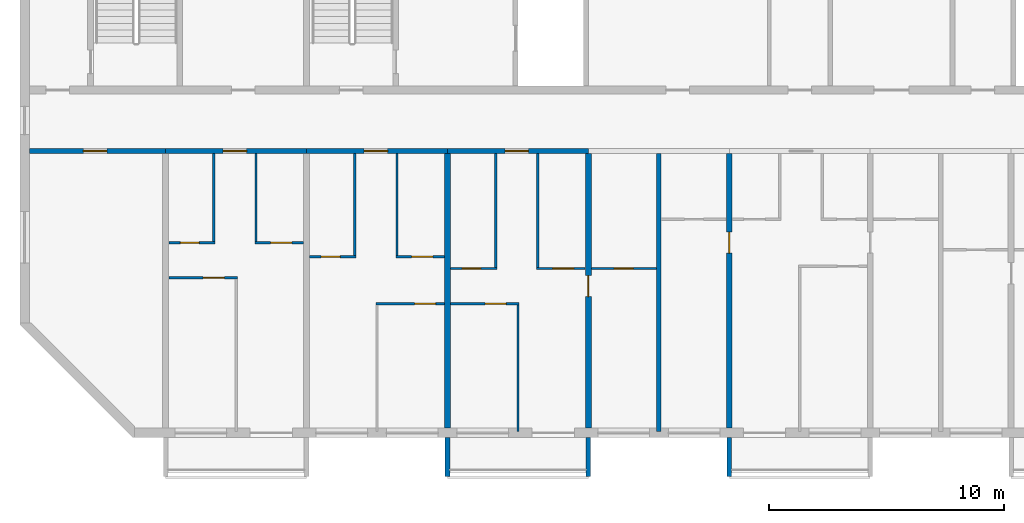
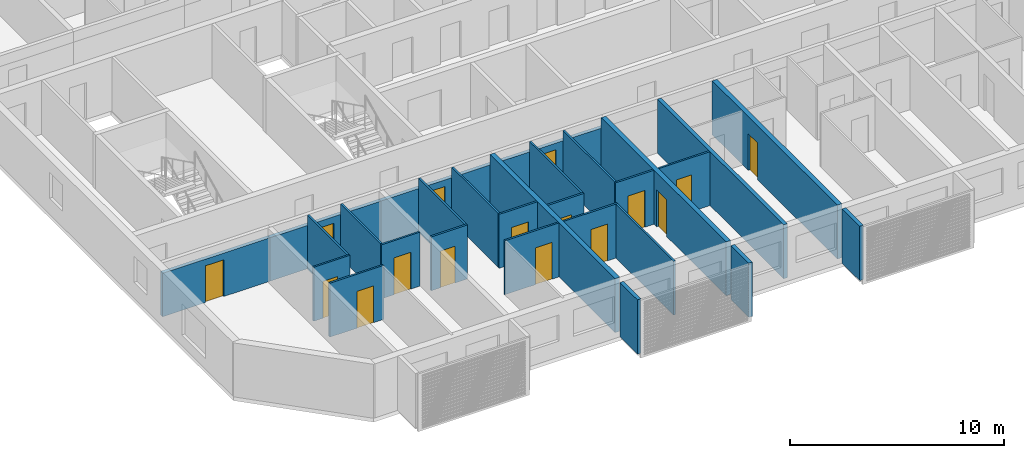
# One storey, part 2 of 26: 28 walls, 16 doors, 16 openings.
"""IFC4 building model written with IfcOpenShell, lengths in metres."""

from ifc_helpers import new_model, si_unit, direction, frame, frame_2d, origin, place, context, subcontext, project, spatial, polyline, rectangle, outline, extrude, source, transform, mapped, material, layer, layer_set, type_object, element, fill, save


model = new_model("IFC4")

# Units and contexts
model_context = context("Model", 3, precision=1e-05, world=origin(), true_north=direction((0.0, 1.0)))
body_context = subcontext(model_context, "Body", "Model", "MODEL_VIEW")
ifc_project = project(units=[si_unit("LENGTHUNIT", "METRE"), si_unit("AREAUNIT", "SQUARE_METRE"), si_unit("VOLUMEUNIT", "CUBIC_METRE"), si_unit("PLANEANGLEUNIT", "RADIAN"), si_unit("MASSUNIT", "GRAM", prefix="KILO")], contexts=[model_context])

# Site, building, storey
site_placement = place(None, origin())
site = spatial("IfcSite", under=ifc_project, at=site_placement, CompositionType="ELEMENT")
building_placement = place(site_placement, origin())
building = spatial("IfcBuilding", under=site, at=building_placement, Name="Poui Terraces", CompositionType="ELEMENT")
storey_placement = place(building_placement, frame((0.0, 0.0, 228.0)))
storey = spatial("IfcBuildingStorey", under=building, at=storey_placement, Name="L63", CompositionType="ELEMENT", Elevation=228.0)

# Wall, opening, door
ifc_material_1 = material(Name="Concrete 50 MPa", Category="concrete")
ifc_layer_1 = layer(ifc_material_1, 0.199951171875)
ifc_layer_set_1 = layer_set([ifc_layer_1], Name="Concrete 50 MPa")
wall_type_1 = type_object("IfcWallType", Name="CORRIDOR WALL 200 50MPa", PredefinedType="SHEAR", material=ifc_layer_set_1)
wall_1_placement = place(storey_placement, frame((18.199951171875, 12.0, 0.0), z_axis=(0.0, 0.0, 1.0), x_axis=(1.0, 0.0, 0.0)))
wall_1 = element("IfcWall", 1, at=wall_1_placement, inside=storey, type_object=wall_type_1, Name="CORRIDOR WALL LINE B BAY 1", PredefinedType="SHEAR", context=body_context, shape_type="SweptSolid", body=[
    extrude(rectangle(XDim=5.800048828125, YDim=0.199951171875, at=frame_2d((2.89990234375, 0.0))), origin(), (0.0, 0.0, 1.0), 2.47998046875),
])
opening_1_placement = place(wall_1_placement, frame((2.300048828125, 0.0, 0.0)))
opening_1 = element("IfcOpeningElement", 2, at=opening_1_placement, cuts=wall_1, Name="Opening D100", PredefinedType="OPENING", context=body_context, shape_type="SweptSolid", body=[
    extrude(rectangle(XDim=1.0, YDim=2.10009765625, at=frame_2d((0.5, 1.050048828125))), frame((0.0, 0.10986328125, 0.0), z_axis=(0.0, -1.0, 0.0), x_axis=(1.0, 0.0, 0.0)), (0.0, 0.0, 1.0), 0.219970703125),
])
ifc_material_2 = material(Name="Solid core timber door", Category="wood")
door_type_1 = type_object("IfcDoorType", Name="ACCESSIBLE INTERNAL DOOR 1000 X 2100", OperationType="NOTDEFINED", PredefinedType="DOOR", material=ifc_material_2)
door_1_placement = place(opening_1_placement, frame((1.0, 0.0, 0.0), z_axis=(0.0, 0.0, 1.0), x_axis=(-1.0, 0.0, 0.0)))
door_1 = element("IfcDoor", 3, at=door_1_placement, inside=storey, type_object=door_type_1, Name="ACCESSIBLE INTERNAL DOOR 058", OperationType="SINGLE_SWING_RIGHT", OverallHeight=2.10009765625, OverallWidth=1.0, PredefinedType="DOOR", context=body_context, shape_type="SweptSolid", body=[
    extrude(rectangle(XDim=1.0, YDim=2.10009765625, at=frame_2d((0.5, 1.050048828125))), frame((0.0, 0.02490234375, 0.0), z_axis=(0.0, -1.0, 0.0), x_axis=(1.0, 0.0, 0.0)), (0.0, 0.0, 1.0), 0.050048828125),
])
fill(opening_1, door_1)

wall_2_placement = place(storey_placement, frame((24.0, 12.0, 0.0), z_axis=(0.0, 0.0, 1.0), x_axis=(1.0, 0.0, 0.0)))
wall_2 = element("IfcWall", 4, at=wall_2_placement, inside=storey, type_object=wall_type_1, Name="CORRIDOR WALL LINE B BAY 2", PredefinedType="SHEAR", context=body_context, shape_type="SweptSolid", body=[
    extrude(rectangle(XDim=6.0, YDim=0.199951171875, at=frame_2d((3.0, 0.0))), origin(), (0.0, 0.0, 1.0), 2.47998046875),
])
opening_2_placement = place(wall_2_placement, frame((2.449951171875, 0.0, 0.0)))
opening_2 = element("IfcOpeningElement", 5, at=opening_2_placement, cuts=wall_2, Name="Opening FD30S", PredefinedType="OPENING", context=body_context, shape_type="SweptSolid", body=[
    extrude(rectangle(XDim=1.0, YDim=2.10009765625, at=frame_2d((0.5, 1.050048828125))), frame((0.0, 0.10986328125, 0.0), z_axis=(0.0, -1.0, 0.0), x_axis=(1.0, 0.0, 0.0)), (0.0, 0.0, 1.0), 0.219970703125),
])
ifc_material_3 = material(Name="Steel fire door", Category="steel")
door_type_2 = type_object("IfcDoorType", Name="FLAT ENTRANCE DOOR 1000 X 2100", OperationType="NOTDEFINED", PredefinedType="DOOR", material=ifc_material_3)
door_2_placement = place(opening_2_placement, frame((1.0, 0.0, 0.0), z_axis=(0.0, 0.0, 1.0), x_axis=(-1.0, 0.0, 0.0)))
door_2 = element("IfcDoor", 6, at=door_2_placement, inside=storey, type_object=door_type_2, Name="FLAT ENTRANCE DOOR 061", OperationType="SINGLE_SWING_RIGHT", OverallHeight=2.10009765625, OverallWidth=1.0, PredefinedType="DOOR", context=body_context, shape_type="SweptSolid", body=[
    extrude(rectangle(XDim=1.0, YDim=2.10009765625, at=frame_2d((0.5, 1.050048828125))), frame((0.0, 0.02490234375, 0.0), z_axis=(0.0, -1.0, 0.0), x_axis=(1.0, 0.0, 0.0)), (0.0, 0.0, 1.0), 0.050048828125),
])
fill(opening_2, door_2)

wall_3_placement = place(storey_placement, frame((30.0, 12.0, 0.0), z_axis=(0.0, 0.0, 1.0), x_axis=(1.0, 0.0, 0.0)))
wall_3 = element("IfcWall", 7, at=wall_3_placement, inside=storey, type_object=wall_type_1, Name="CORRIDOR WALL LINE B BAY 3", PredefinedType="SHEAR", context=body_context, shape_type="SweptSolid", body=[
    extrude(rectangle(XDim=6.0, YDim=0.199951171875, at=frame_2d((3.0, 0.0))), origin(), (0.0, 0.0, 1.0), 2.47998046875),
])
opening_3_placement = place(wall_3_placement, frame((2.449951171875, 0.0, 0.0)))
opening_3 = element("IfcOpeningElement", 8, at=opening_3_placement, cuts=wall_3, Name="Opening FD30S", PredefinedType="OPENING", context=body_context, shape_type="SweptSolid", body=[
    extrude(rectangle(XDim=1.0, YDim=2.10009765625, at=frame_2d((0.5, 1.050048828125))), frame((0.0, 0.10986328125, 0.0), z_axis=(0.0, -1.0, 0.0), x_axis=(1.0, 0.0, 0.0)), (0.0, 0.0, 1.0), 0.219970703125),
])
door_3_placement = place(opening_3_placement, frame((1.0, 0.0, 0.0), z_axis=(0.0, 0.0, 1.0), x_axis=(-1.0, 0.0, 0.0)))
door_3 = element("IfcDoor", 9, at=door_3_placement, inside=storey, type_object=door_type_2, Name="FLAT ENTRANCE DOOR 064", OperationType="SINGLE_SWING_RIGHT", OverallHeight=2.10009765625, OverallWidth=1.0, PredefinedType="DOOR", context=body_context, shape_type="SweptSolid", body=[
    extrude(rectangle(XDim=1.0, YDim=2.10009765625, at=frame_2d((0.5, 1.050048828125))), frame((0.0, 0.02490234375, 0.0), z_axis=(0.0, -1.0, 0.0), x_axis=(1.0, 0.0, 0.0)), (0.0, 0.0, 1.0), 0.050048828125),
])
fill(opening_3, door_3)

wall_4_placement = place(storey_placement, frame((36.0, 12.0, 0.0), z_axis=(0.0, 0.0, 1.0), x_axis=(1.0, 0.0, 0.0)))
wall_4 = element("IfcWall", 10, at=wall_4_placement, inside=storey, type_object=wall_type_1, Name="CORRIDOR WALL LINE B BAY 4", PredefinedType="SHEAR", context=body_context, shape_type="SweptSolid", body=[
    extrude(rectangle(XDim=6.0, YDim=0.199951171875, at=frame_2d((3.0, 0.0))), origin(), (0.0, 0.0, 1.0), 2.47998046875),
])
opening_4_placement = place(wall_4_placement, frame((2.449951171875, 0.0, 0.0)))
opening_4 = element("IfcOpeningElement", 11, at=opening_4_placement, cuts=wall_4, Name="Opening FD30S", PredefinedType="OPENING", context=body_context, shape_type="SweptSolid", body=[
    extrude(rectangle(XDim=1.0, YDim=2.10009765625, at=frame_2d((0.5, 1.050048828125))), frame((0.0, 0.10986328125, 0.0), z_axis=(0.0, -1.0, 0.0), x_axis=(1.0, 0.0, 0.0)), (0.0, 0.0, 1.0), 0.219970703125),
])
door_4_placement = place(opening_4_placement, frame((1.0, 0.0, 0.0), z_axis=(0.0, 0.0, 1.0), x_axis=(-1.0, 0.0, 0.0)))
door_4 = element("IfcDoor", 12, at=door_4_placement, inside=storey, type_object=door_type_2, Name="FLAT ENTRANCE DOOR 070", OperationType="SINGLE_SWING_RIGHT", OverallHeight=2.10009765625, OverallWidth=1.0, PredefinedType="DOOR", context=body_context, shape_type="SweptSolid", body=[
    extrude(rectangle(XDim=1.0, YDim=2.10009765625, at=frame_2d((0.5, 1.050048828125))), frame((0.0, 0.02490234375, 0.0), z_axis=(0.0, -1.0, 0.0), x_axis=(1.0, 0.0, 0.0)), (0.0, 0.0, 1.0), 0.050048828125),
])
fill(opening_4, door_4)

# Wall
ifc_layer_2 = layer(ifc_material_1, 0.25)
ifc_layer_set_2 = layer_set([ifc_layer_2], Name="Concrete 50 MPa")
wall_type_2 = type_object("IfcWallType", Name="CROSS WALL 250 50MPa", PredefinedType="SHEAR", material=ifc_layer_set_2)
wall_5_placement = place(storey_placement, frame((36.0, 0.199951171875, 0.0), z_axis=(0.0, 0.0, 1.0), x_axis=(0.0, 1.0, 0.0)))
element("IfcWall", 13, at=wall_5_placement, inside=storey, type_object=wall_type_2, Name="CROSS WALL LINE 7 SOUTH", PredefinedType="SHEAR", context=body_context, shape_type="SweptSolid", body=[
    extrude(rectangle(XDim=11.699951171875, YDim=0.25, at=frame_2d((5.85009765625, 0.0))), origin(), (0.0, 0.0, 1.0), 3.080078125),
])

# Wall, opening, door
wall_6_placement = place(storey_placement, frame((42.0, 0.199951171875, 0.0), z_axis=(0.0, 0.0, 1.0), x_axis=(0.0, 1.0, 0.0)))
wall_6 = element("IfcWall", 14, at=wall_6_placement, inside=storey, type_object=wall_type_2, Name="CROSS WALL LINE 8 SOUTH", PredefinedType="SHEAR", context=body_context, shape_type="SweptSolid", body=[
    extrude(rectangle(XDim=11.699951171875, YDim=0.25, at=frame_2d((5.85009765625, 0.0))), origin(), (0.0, 0.0, 1.0), 3.080078125),
])
opening_5_placement = place(wall_6_placement, frame((5.60009765625, 0.0, 0.0)))
opening_5 = element("IfcOpeningElement", 15, at=opening_5_placement, cuts=wall_6, Name="Opening D90", PredefinedType="OPENING", context=body_context, shape_type="SweptSolid", body=[
    extrude(rectangle(XDim=0.89990234375, YDim=2.10009765625, at=frame_2d((0.449951171875, 1.050048828125))), frame((0.0, 0.135009765625, 0.0), z_axis=(0.0, -1.0, 0.0), x_axis=(1.0, 0.0, 0.0)), (0.0, 0.0, 1.0), 0.27001953125),
])
door_type_3 = type_object("IfcDoorType", Name="INTERNAL DOOR 900 X 2100", OperationType="NOTDEFINED", PredefinedType="DOOR", material=ifc_material_2)
door_5_placement = place(opening_5_placement, frame((0.89990234375, 0.0, 0.0), z_axis=(0.0, 0.0, 1.0), x_axis=(-1.0, 0.0, 0.0)))
door_5 = element("IfcDoor", 16, at=door_5_placement, inside=storey, type_object=door_type_3, Name="INTERNAL DOOR 072", OperationType="SINGLE_SWING_LEFT", OverallHeight=2.10009765625, OverallWidth=0.89990234375, PredefinedType="DOOR", context=body_context, shape_type="SweptSolid", body=[
    extrude(rectangle(XDim=0.89990234375, YDim=2.10009765625, at=frame_2d((0.449951171875, 1.050048828125))), frame((0.0, 0.02490234375, 0.0), z_axis=(0.0, -1.0, 0.0), x_axis=(1.0, 0.0, 0.0)), (0.0, 0.0, 1.0), 0.050048828125),
])
fill(opening_5, door_5)

wall_7_placement = place(storey_placement, frame((48.0, 0.199951171875, 0.0), z_axis=(0.0, 0.0, 1.0), x_axis=(0.0, 1.0, 0.0)))
wall_7 = element("IfcWall", 17, at=wall_7_placement, inside=storey, type_object=wall_type_2, Name="CROSS WALL LINE 9 SOUTH", PredefinedType="SHEAR", context=body_context, shape_type="SweptSolid", body=[
    extrude(rectangle(XDim=11.699951171875, YDim=0.25, at=frame_2d((5.85009765625, 0.0))), origin(), (0.0, 0.0, 1.0), 3.080078125),
])
opening_6_placement = place(wall_7_placement, frame((7.449951171875, 0.0, 0.0)))
opening_6 = element("IfcOpeningElement", 18, at=opening_6_placement, cuts=wall_7, Name="Opening D90", PredefinedType="OPENING", context=body_context, shape_type="SweptSolid", body=[
    extrude(rectangle(XDim=0.89990234375, YDim=2.10009765625, at=frame_2d((0.449951171875, 1.050048828125))), frame((0.0, 0.135009765625, 0.0), z_axis=(0.0, -1.0, 0.0), x_axis=(1.0, 0.0, 0.0)), (0.0, 0.0, 1.0), 0.27001953125),
])
door_6_placement = place(opening_6_placement, origin())
door_6 = element("IfcDoor", 19, at=door_6_placement, inside=storey, type_object=door_type_3, Name="INTERNAL DOOR 075", OperationType="SINGLE_SWING_RIGHT", OverallHeight=2.10009765625, OverallWidth=0.89990234375, PredefinedType="DOOR", context=body_context, shape_type="SweptSolid", body=[
    extrude(rectangle(XDim=0.89990234375, YDim=2.10009765625, at=frame_2d((0.449951171875, 1.050048828125))), frame((0.0, 0.02490234375, 0.0), z_axis=(0.0, -1.0, 0.0), x_axis=(1.0, 0.0, 0.0)), (0.0, 0.0, 1.0), 0.050048828125),
])
fill(opening_6, door_6)

ifc_material_4 = material(Name="Plasterboard partition")
ifc_layer_3 = layer(ifc_material_4, 0.10009765625)
ifc_layer_set_3 = layer_set([ifc_layer_3], Name="Plasterboard partition")
wall_type_3 = type_object("IfcWallType", Name="FLAT PARTITION 100", PredefinedType="PARTITIONING", material=ifc_layer_set_3)
wall_8_placement = place(storey_placement, frame((32.949951171875, 5.5, 0.0), z_axis=(0.0, 0.0, 1.0), x_axis=(1.0, 0.0, 0.0)))
wall_8 = element("IfcWall", 20, at=wall_8_placement, inside=storey, type_object=wall_type_3, Name="FLAT PARTITION 100", PredefinedType="PARTITIONING", context=body_context, shape_type="SweptSolid", body=[
    extrude(rectangle(XDim=2.9150390625, YDim=0.10009765625, at=frame_2d((1.45751953125, 0.0))), origin(), (0.0, 0.0, 1.0), 3.080078125),
])
opening_7_placement = place(wall_8_placement, frame((1.64990234375, 0.0, 0.0)))
opening_7 = element("IfcOpeningElement", 21, at=opening_7_placement, cuts=wall_8, Name="Opening D90", PredefinedType="OPENING", context=body_context, shape_type="SweptSolid", body=[
    extrude(rectangle(XDim=0.89990234375, YDim=2.10009765625, at=frame_2d((0.449951171875, 1.050048828125))), frame((0.0, 0.06005859375, 0.0), z_axis=(0.0, -1.0, 0.0), x_axis=(1.0, 0.0, 0.0)), (0.0, 0.0, 1.0), 0.1201171875),
])
door_7_placement = place(opening_7_placement, frame((0.89990234375, 0.0, 0.0), z_axis=(0.0, 0.0, 1.0), x_axis=(-1.0, 0.0, 0.0)))
door_7 = element("IfcDoor", 22, at=door_7_placement, inside=storey, type_object=door_type_3, Name="INTERNAL DOOR 066", OperationType="SINGLE_SWING_LEFT", OverallHeight=2.10009765625, OverallWidth=0.89990234375, PredefinedType="DOOR", context=body_context, shape_type="SweptSolid", body=[
    extrude(rectangle(XDim=0.89990234375, YDim=2.10009765625, at=frame_2d((0.449951171875, 1.050048828125))), frame((0.0, 0.02490234375, 0.0), z_axis=(0.0, -1.0, 0.0), x_axis=(1.0, 0.0, 0.0)), (0.0, 0.0, 1.0), 0.050048828125),
])
fill(opening_7, door_7)

wall_9_placement = place(storey_placement, frame((36.135009765625, 5.5, 0.0), z_axis=(0.0, 0.0, 1.0), x_axis=(1.0, 0.0, 0.0)))
wall_9 = element("IfcWall", 23, at=wall_9_placement, inside=storey, type_object=wall_type_3, Name="FLAT PARTITION 100", PredefinedType="PARTITIONING", context=body_context, shape_type="SweptSolid", body=[
    extrude(rectangle(XDim=2.9150390625, YDim=0.10009765625, at=frame_2d((1.45751953125, 0.0))), origin(), (0.0, 0.0, 1.0), 3.080078125),
])
opening_8_placement = place(wall_9_placement, frame((1.465087890625, 0.0, 0.0)))
opening_8 = element("IfcOpeningElement", 24, at=opening_8_placement, cuts=wall_9, Name="Opening D90", PredefinedType="OPENING", context=body_context, shape_type="SweptSolid", body=[
    extrude(rectangle(XDim=0.89990234375, YDim=2.10009765625, at=frame_2d((0.449951171875, 1.050048828125))), frame((0.0, 0.06005859375, 0.0), z_axis=(0.0, -1.0, 0.0), x_axis=(1.0, 0.0, 0.0)), (0.0, 0.0, 1.0), 0.1201171875),
])
door_8_placement = place(opening_8_placement, origin())
door_8 = element("IfcDoor", 25, at=door_8_placement, inside=storey, type_object=door_type_3, Name="INTERNAL DOOR 069", OperationType="SINGLE_SWING_LEFT", OverallHeight=2.10009765625, OverallWidth=0.89990234375, PredefinedType="DOOR", context=body_context, shape_type="SweptSolid", body=[
    extrude(rectangle(XDim=0.89990234375, YDim=2.10009765625, at=frame_2d((0.449951171875, 1.050048828125))), frame((0.0, 0.02490234375, 0.0), z_axis=(0.0, -1.0, 0.0), x_axis=(1.0, 0.0, 0.0)), (0.0, 0.0, 1.0), 0.050048828125),
])
fill(opening_8, door_8)

wall_10_placement = place(storey_placement, frame((24.135009765625, 6.60009765625, 0.0), z_axis=(0.0, 0.0, 1.0), x_axis=(1.0, 0.0, 0.0)))
wall_10 = element("IfcWall", 26, at=wall_10_placement, inside=storey, type_object=wall_type_3, Name="FLAT PARTITION 100", PredefinedType="PARTITIONING", context=body_context, shape_type="SweptSolid", body=[
    extrude(rectangle(XDim=2.9150390625, YDim=0.10009765625, at=frame_2d((1.45751953125, 0.0))), origin(), (0.0, 0.0, 1.0), 3.080078125),
])
opening_9_placement = place(wall_10_placement, frame((1.465087890625, 0.0, 0.0)))
opening_9 = element("IfcOpeningElement", 27, at=opening_9_placement, cuts=wall_10, Name="Opening D90", PredefinedType="OPENING", context=body_context, shape_type="SweptSolid", body=[
    extrude(rectangle(XDim=0.89990234375, YDim=2.10009765625, at=frame_2d((0.449951171875, 1.050048828125))), frame((0.0, 0.06005859375, 0.0), z_axis=(0.0, -1.0, 0.0), x_axis=(1.0, 0.0, 0.0)), (0.0, 0.0, 1.0), 0.1201171875),
])
door_9_placement = place(opening_9_placement, origin())
door_9 = element("IfcDoor", 28, at=door_9_placement, inside=storey, type_object=door_type_3, Name="INTERNAL DOOR 060", OperationType="SINGLE_SWING_LEFT", OverallHeight=2.10009765625, OverallWidth=0.89990234375, PredefinedType="DOOR", context=body_context, shape_type="SweptSolid", body=[
    extrude(rectangle(XDim=0.89990234375, YDim=2.10009765625, at=frame_2d((0.449951171875, 1.050048828125))), frame((0.0, 0.02490234375, 0.0), z_axis=(0.0, -1.0, 0.0), x_axis=(1.0, 0.0, 0.0)), (0.0, 0.0, 1.0), 0.050048828125),
])
fill(opening_9, door_9)

wall_11_placement = place(storey_placement, frame((36.135009765625, 7.0, 0.0), z_axis=(0.0, 0.0, 1.0), x_axis=(1.0, 0.0, 0.0)))
wall_11 = element("IfcWall", 29, at=wall_11_placement, inside=storey, type_object=wall_type_3, Name="FLAT PARTITION 100", PredefinedType="PARTITIONING", context=body_context, shape_type="SweptSolid", body=[
    extrude(rectangle(XDim=1.965087890625, YDim=0.10009765625, at=frame_2d((0.982421875, 0.0))), origin(), (0.0, 0.0, 1.0), 3.080078125),
])
opening_10_placement = place(wall_11_placement, frame((0.489990234375, 0.0, 0.0)))
opening_10 = element("IfcOpeningElement", 30, at=opening_10_placement, cuts=wall_11, Name="Opening D80", PredefinedType="OPENING", context=body_context, shape_type="SweptSolid", body=[
    extrude(rectangle(XDim=0.800048828125, YDim=2.10009765625, at=frame_2d((0.39990234375, 1.050048828125))), frame((0.0, 0.06005859375, 0.0), z_axis=(0.0, -1.0, 0.0), x_axis=(1.0, 0.0, 0.0)), (0.0, 0.0, 1.0), 0.1201171875),
])
door_type_4 = type_object("IfcDoorType", Name="BATHROOM, LAUNDRY AND STORE DOOR 800 X 2100", OperationType="NOTDEFINED", PredefinedType="DOOR", material=ifc_material_2)
door_10_placement = place(opening_10_placement, origin())
door_10 = element("IfcDoor", 31, at=door_10_placement, inside=storey, type_object=door_type_4, Name="BATHROOM, LAUNDRY AND STORE DOOR 068", OperationType="SINGLE_SWING_RIGHT", OverallHeight=2.10009765625, OverallWidth=0.800048828125, PredefinedType="DOOR", context=body_context, shape_type="SweptSolid", body=[
    extrude(rectangle(XDim=0.800048828125, YDim=2.10009765625, at=frame_2d((0.39990234375, 1.050048828125))), frame((0.0, 0.02490234375, 0.0), z_axis=(0.0, -1.0, 0.0), x_axis=(1.0, 0.0, 0.0)), (0.0, 0.0, 1.0), 0.050048828125),
])
fill(opening_10, door_10)

wall_12_placement = place(storey_placement, frame((39.800048828125, 7.0, 0.0), z_axis=(0.0, 0.0, 1.0), x_axis=(1.0, 0.0, 0.0)))
wall_12 = element("IfcWall", 32, at=wall_12_placement, inside=storey, type_object=wall_type_3, Name="FLAT PARTITION 100", PredefinedType="PARTITIONING", context=body_context, shape_type="SweptSolid", body=[
    extrude(rectangle(XDim=2.06494140625, YDim=0.10009765625, at=frame_2d((1.032470703125, 0.0))), origin(), (0.0, 0.0, 1.0), 3.080078125),
])
opening_11_placement = place(wall_12_placement, frame((0.675048828125, 0.0, 0.0)))
opening_11 = element("IfcOpeningElement", 33, at=opening_11_placement, cuts=wall_12, Name="Opening D90", PredefinedType="OPENING", context=body_context, shape_type="SweptSolid", body=[
    extrude(rectangle(XDim=0.89990234375, YDim=2.10009765625, at=frame_2d((0.449951171875, 1.050048828125))), frame((0.0, 0.06005859375, 0.0), z_axis=(0.0, -1.0, 0.0), x_axis=(1.0, 0.0, 0.0)), (0.0, 0.0, 1.0), 0.1201171875),
])
door_11_placement = place(opening_11_placement, origin())
door_11 = element("IfcDoor", 34, at=door_11_placement, inside=storey, type_object=door_type_3, Name="INTERNAL DOOR 071", OperationType="SINGLE_SWING_LEFT", OverallHeight=2.10009765625, OverallWidth=0.89990234375, PredefinedType="DOOR", context=body_context, shape_type="SweptSolid", body=[
    extrude(rectangle(XDim=0.89990234375, YDim=2.10009765625, at=frame_2d((0.449951171875, 1.050048828125))), frame((0.0, 0.02490234375, 0.0), z_axis=(0.0, -1.0, 0.0), x_axis=(1.0, 0.0, 0.0)), (0.0, 0.0, 1.0), 0.050048828125),
])
fill(opening_11, door_11)

wall_13_placement = place(storey_placement, frame((42.135009765625, 7.0, 0.0), z_axis=(0.0, 0.0, 1.0), x_axis=(1.0, 0.0, 0.0)))
wall_13 = element("IfcWall", 35, at=wall_13_placement, inside=storey, type_object=wall_type_3, Name="FLAT PARTITION 100", PredefinedType="PARTITIONING", context=body_context, shape_type="SweptSolid", body=[
    extrude(rectangle(XDim=2.764892578125, YDim=0.10009765625, at=frame_2d((1.38232421875, 0.0))), origin(), (0.0, 0.0, 1.0), 3.080078125),
])
opening_12_placement = place(wall_13_placement, frame((0.965087890625, 0.0, 0.0)))
opening_12 = element("IfcOpeningElement", 36, at=opening_12_placement, cuts=wall_13, Name="Opening D80", PredefinedType="OPENING", context=body_context, shape_type="SweptSolid", body=[
    extrude(rectangle(XDim=0.800048828125, YDim=2.10009765625, at=frame_2d((0.39990234375, 1.050048828125))), frame((0.0, 0.06005859375, 0.0), z_axis=(0.0, -1.0, 0.0), x_axis=(1.0, 0.0, 0.0)), (0.0, 0.0, 1.0), 0.1201171875),
])
door_12_placement = place(opening_12_placement, origin())
door_12 = element("IfcDoor", 37, at=door_12_placement, inside=storey, type_object=door_type_4, Name="BATHROOM, LAUNDRY AND STORE DOOR 067", OperationType="SINGLE_SWING_RIGHT", OverallHeight=2.10009765625, OverallWidth=0.800048828125, PredefinedType="DOOR", context=body_context, shape_type="SweptSolid", body=[
    extrude(rectangle(XDim=0.800048828125, YDim=2.10009765625, at=frame_2d((0.39990234375, 1.050048828125))), frame((0.0, 0.02490234375, 0.0), z_axis=(0.0, -1.0, 0.0), x_axis=(1.0, 0.0, 0.0)), (0.0, 0.0, 1.0), 0.050048828125),
])
fill(opening_12, door_12)

wall_14_placement = place(storey_placement, frame((30.135009765625, 7.5, 0.0), z_axis=(0.0, 0.0, 1.0), x_axis=(1.0, 0.0, 0.0)))
wall_14 = element("IfcWall", 38, at=wall_14_placement, inside=storey, type_object=wall_type_3, Name="FLAT PARTITION 100", PredefinedType="PARTITIONING", context=body_context, shape_type="SweptSolid", body=[
    extrude(rectangle(XDim=1.965087890625, YDim=0.10009765625, at=frame_2d((0.982421875, 0.0))), origin(), (0.0, 0.0, 1.0), 3.080078125),
])
opening_13_placement = place(wall_14_placement, frame((0.489990234375, 0.0, 0.0)))
opening_13 = element("IfcOpeningElement", 39, at=opening_13_placement, cuts=wall_14, Name="Opening D80", PredefinedType="OPENING", context=body_context, shape_type="SweptSolid", body=[
    extrude(rectangle(XDim=0.800048828125, YDim=2.10009765625, at=frame_2d((0.39990234375, 1.050048828125))), frame((0.0, 0.06005859375, 0.0), z_axis=(0.0, -1.0, 0.0), x_axis=(1.0, 0.0, 0.0)), (0.0, 0.0, 1.0), 0.1201171875),
])
door_13_placement = place(opening_13_placement, origin())
door_13 = element("IfcDoor", 40, at=door_13_placement, inside=storey, type_object=door_type_4, Name="BATHROOM, LAUNDRY AND STORE DOOR 063", OperationType="SINGLE_SWING_LEFT", OverallHeight=2.10009765625, OverallWidth=0.800048828125, PredefinedType="DOOR", context=body_context, shape_type="SweptSolid", body=[
    extrude(rectangle(XDim=0.800048828125, YDim=2.10009765625, at=frame_2d((0.39990234375, 1.050048828125))), frame((0.0, 0.02490234375, 0.0), z_axis=(0.0, -1.0, 0.0), x_axis=(1.0, 0.0, 0.0)), (0.0, 0.0, 1.0), 0.050048828125),
])
fill(opening_13, door_13)

wall_15_placement = place(storey_placement, frame((33.800048828125, 7.5, 0.0), z_axis=(0.0, 0.0, 1.0), x_axis=(1.0, 0.0, 0.0)))
wall_15 = element("IfcWall", 41, at=wall_15_placement, inside=storey, type_object=wall_type_3, Name="FLAT PARTITION 100", PredefinedType="PARTITIONING", context=body_context, shape_type="SweptSolid", body=[
    extrude(rectangle(XDim=2.06494140625, YDim=0.10009765625, at=frame_2d((1.032470703125, 0.0))), origin(), (0.0, 0.0, 1.0), 3.080078125),
])
opening_14_placement = place(wall_15_placement, frame((0.675048828125, 0.0, 0.0)))
opening_14 = element("IfcOpeningElement", 42, at=opening_14_placement, cuts=wall_15, Name="Opening D90", PredefinedType="OPENING", context=body_context, shape_type="SweptSolid", body=[
    extrude(rectangle(XDim=0.89990234375, YDim=2.10009765625, at=frame_2d((0.449951171875, 1.050048828125))), frame((0.0, 0.06005859375, 0.0), z_axis=(0.0, -1.0, 0.0), x_axis=(1.0, 0.0, 0.0)), (0.0, 0.0, 1.0), 0.1201171875),
])
door_14_placement = place(opening_14_placement, origin())
door_14 = element("IfcDoor", 43, at=door_14_placement, inside=storey, type_object=door_type_3, Name="INTERNAL DOOR 065", OperationType="SINGLE_SWING_RIGHT", OverallHeight=2.10009765625, OverallWidth=0.89990234375, PredefinedType="DOOR", context=body_context, shape_type="SweptSolid", body=[
    extrude(rectangle(XDim=0.89990234375, YDim=2.10009765625, at=frame_2d((0.449951171875, 1.050048828125))), frame((0.0, 0.02490234375, 0.0), z_axis=(0.0, -1.0, 0.0), x_axis=(1.0, 0.0, 0.0)), (0.0, 0.0, 1.0), 0.050048828125),
])
fill(opening_14, door_14)

wall_16_placement = place(storey_placement, frame((24.135009765625, 8.10009765625, 0.0), z_axis=(0.0, 0.0, 1.0), x_axis=(1.0, 0.0, 0.0)))
wall_16 = element("IfcWall", 44, at=wall_16_placement, inside=storey, type_object=wall_type_3, Name="FLAT PARTITION 100", PredefinedType="PARTITIONING", context=body_context, shape_type="SweptSolid", body=[
    extrude(rectangle(XDim=1.965087890625, YDim=0.10009765625, at=frame_2d((0.982421875, 0.0))), origin(), (0.0, 0.0, 1.0), 3.080078125),
])
opening_15_placement = place(wall_16_placement, frame((0.489990234375, 0.0, 0.0)))
opening_15 = element("IfcOpeningElement", 45, at=opening_15_placement, cuts=wall_16, Name="Opening D80", PredefinedType="OPENING", context=body_context, shape_type="SweptSolid", body=[
    extrude(rectangle(XDim=0.800048828125, YDim=2.10009765625, at=frame_2d((0.39990234375, 1.050048828125))), frame((0.0, 0.06005859375, 0.0), z_axis=(0.0, -1.0, 0.0), x_axis=(1.0, 0.0, 0.0)), (0.0, 0.0, 1.0), 0.1201171875),
])
door_15_placement = place(opening_15_placement, origin())
door_15 = element("IfcDoor", 46, at=door_15_placement, inside=storey, type_object=door_type_4, Name="BATHROOM, LAUNDRY AND STORE DOOR 059", OperationType="SINGLE_SWING_RIGHT", OverallHeight=2.10009765625, OverallWidth=0.800048828125, PredefinedType="DOOR", context=body_context, shape_type="SweptSolid", body=[
    extrude(rectangle(XDim=0.800048828125, YDim=2.10009765625, at=frame_2d((0.39990234375, 1.050048828125))), frame((0.0, 0.02490234375, 0.0), z_axis=(0.0, -1.0, 0.0), x_axis=(1.0, 0.0, 0.0)), (0.0, 0.0, 1.0), 0.050048828125),
])
fill(opening_15, door_15)

wall_17_placement = place(storey_placement, frame((27.800048828125, 8.10009765625, 0.0), z_axis=(0.0, 0.0, 1.0), x_axis=(1.0, 0.0, 0.0)))
wall_17 = element("IfcWall", 47, at=wall_17_placement, inside=storey, type_object=wall_type_3, Name="FLAT PARTITION 100", PredefinedType="PARTITIONING", context=body_context, shape_type="SweptSolid", body=[
    extrude(rectangle(XDim=2.06494140625, YDim=0.10009765625, at=frame_2d((1.032470703125, 0.0))), origin(), (0.0, 0.0, 1.0), 3.080078125),
])
opening_16_placement = place(wall_17_placement, frame((0.675048828125, 0.0, 0.0)))
opening_16 = element("IfcOpeningElement", 48, at=opening_16_placement, cuts=wall_17, Name="Opening D90", PredefinedType="OPENING", context=body_context, shape_type="SweptSolid", body=[
    extrude(rectangle(XDim=0.89990234375, YDim=2.10009765625, at=frame_2d((0.449951171875, 1.050048828125))), frame((0.0, 0.06005859375, 0.0), z_axis=(0.0, -1.0, 0.0), x_axis=(1.0, 0.0, 0.0)), (0.0, 0.0, 1.0), 0.1201171875),
])
door_16_placement = place(opening_16_placement, origin())
door_16 = element("IfcDoor", 49, at=door_16_placement, inside=storey, type_object=door_type_3, Name="INTERNAL DOOR 062", OperationType="SINGLE_SWING_LEFT", OverallHeight=2.10009765625, OverallWidth=0.89990234375, PredefinedType="DOOR", context=body_context, shape_type="SweptSolid", body=[
    extrude(rectangle(XDim=0.89990234375, YDim=2.10009765625, at=frame_2d((0.449951171875, 1.050048828125))), frame((0.0, 0.02490234375, 0.0), z_axis=(0.0, -1.0, 0.0), x_axis=(1.0, 0.0, 0.0)), (0.0, 0.0, 1.0), 0.050048828125),
])
fill(opening_16, door_16)

# Walls
for number, where, z_axis, x_axis, name in (
    (50, (26.050048828125, 8.14990234375, 0.0), (0.0, 0.0, 1.0), (0.0, 1.0, 0.0), "FLAT PARTITION 100"),
    (51, (27.85009765625, 8.14990234375, 0.0), (0.0, 0.0, 1.0), (0.0, 1.0, 0.0), "FLAT PARTITION 100"),
):
    element("IfcWall", number, at=place(storey_placement, frame(where, z_axis=z_axis, x_axis=x_axis)), inside=storey, type_object=wall_type_3, Name=name, PredefinedType="PARTITIONING", context=body_context, shape_type="SweptSolid", body=[
        extrude(rectangle(XDim=3.739990234375, YDim=0.10009765625, at=frame_2d((1.8701171875, 0.0))), origin(), (0.0, 0.0, 1.0), 3.080078125),
    ])
for number, where, z_axis, x_axis, name in (
    (52, (32.050048828125, 7.550048828125, 0.0), (0.0, 0.0, 1.0), (0.0, 1.0, 0.0), "FLAT PARTITION 100"),
    (53, (33.85009765625, 7.550048828125, 0.0), (0.0, 0.0, 1.0), (0.0, 1.0, 0.0), "FLAT PARTITION 100"),
):
    element("IfcWall", number, at=place(storey_placement, frame(where, z_axis=z_axis, x_axis=x_axis)), inside=storey, type_object=wall_type_3, Name=name, PredefinedType="PARTITIONING", context=body_context, shape_type="SweptSolid", body=[
        extrude(rectangle(XDim=4.33984375, YDim=0.10009765625, at=frame_2d((2.169921875, 0.0))), origin(), (0.0, 0.0, 1.0), 3.080078125),
    ])
wall_18_placement = place(storey_placement, frame((38.050048828125, 7.050048828125, 0.0), z_axis=(0.0, 0.0, 1.0), x_axis=(0.0, 1.0, 0.0)))
element("IfcWall", 54, at=wall_18_placement, inside=storey, type_object=wall_type_3, Name="FLAT PARTITION 100", PredefinedType="PARTITIONING", context=body_context, shape_type="SweptSolid", body=[
    extrude(rectangle(XDim=4.83984375, YDim=0.10009765625, at=frame_2d((2.419921875, 0.0))), origin(), (0.0, 0.0, 1.0), 3.080078125),
])
wall_19_placement = place(storey_placement, frame((39.0, 0.06005859375, 0.0), z_axis=(0.0, 0.0, 1.0), x_axis=(0.0, 1.0, 0.0)))
element("IfcWall", 55, at=wall_19_placement, inside=storey, type_object=wall_type_3, Name="FLAT PARTITION 100", PredefinedType="PARTITIONING", context=body_context, shape_type="SweptSolid", body=[
    extrude(rectangle(XDim=5.389892578125, YDim=0.10009765625, at=frame_2d((2.69482421875, 0.0))), origin(), (0.0, 0.0, 1.0), 3.080078125),
])
wall_20_placement = place(storey_placement, frame((39.85009765625, 7.050048828125, 0.0), z_axis=(0.0, 0.0, 1.0), x_axis=(0.0, 1.0, 0.0)))
element("IfcWall", 56, at=wall_20_placement, inside=storey, type_object=wall_type_3, Name="FLAT PARTITION 100", PredefinedType="PARTITIONING", context=body_context, shape_type="SweptSolid", body=[
    extrude(rectangle(XDim=4.83984375, YDim=0.10009765625, at=frame_2d((2.419921875, 0.0))), origin(), (0.0, 0.0, 1.0), 3.080078125),
])
ifc_material_5 = material(Name="Fire-rated masonry wall", Category="masonry")
ifc_layer_4 = layer(ifc_material_5, 0.199951171875)
ifc_layer_set_4 = layer_set([ifc_layer_4], Name="Fire-rated masonry wall")
wall_type_4 = type_object("IfcWallType", Name="FLAT PARTY WALL 200", PredefinedType="PARTITIONING", material=ifc_layer_set_4)
wall_21_placement = place(storey_placement, frame((45.0, 0.06005859375, 0.0), z_axis=(0.0, 0.0, 1.0), x_axis=(0.0, 1.0, 0.0)))
element("IfcWall", 57, at=wall_21_placement, inside=storey, type_object=wall_type_4, Name="FLAT PARTY WALL 200", PredefinedType="PARTITIONING", context=body_context, shape_type="SweptSolid", body=[
    extrude(rectangle(XDim=11.829833984375, YDim=0.199951171875, at=frame_2d((5.9150390625, 0.0))), origin(), (0.0, 0.0, 1.0), 3.080078125),
])
ifc_material_6 = material(Name="Precast concrete 40 MPa", Category="concrete")
ifc_layer_5 = layer(ifc_material_6, 0.199951171875)
ifc_layer_set_5 = layer_set([ifc_layer_5], Name="Precast concrete 40 MPa")
wall_type_5 = type_object("IfcWallType", Name="REAR FIN 200", PredefinedType="STANDARD", material=ifc_layer_set_5)
shared_shape = source(origin(), body_context, "Body", "SweptSolid", [
    extrude(outline(polyline([(0.0, 0.0), (0.2001953125, 0.0), (0.2001953125, 1.650146484375), (0.0, 1.650146484375), (0.0, 0.0)])), origin(), (0.0, 0.0, 1.0), 3.10009765625),
])
for number, where, name in (
    (58, (35.89990234375, -1.85009765625, 0.0), "REAR FIN"),
    (59, (41.89990234375, -1.85009765625, 0.0), "REAR FIN"),
    (60, (47.89990234375, -1.85009765625, 0.0), "REAR FIN"),
):
    element("IfcWall", number, at=place(storey_placement, frame(where)), inside=storey, type_object=wall_type_5, Name=name, PredefinedType="STANDARD", context=body_context, shape_type="MappedRepresentation", body=[
        mapped(shared_shape, transform((0.0, 0.0, 0.0))),
    ])

save(model, "model.ifc")
